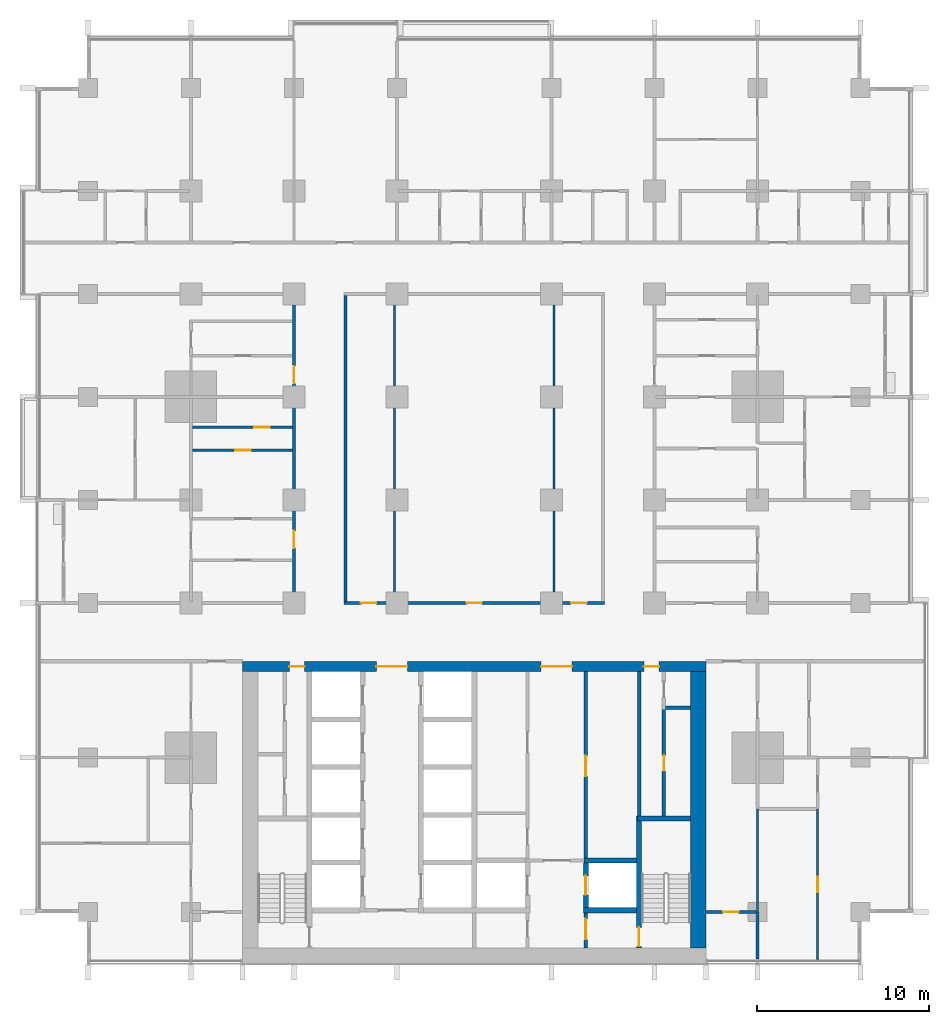
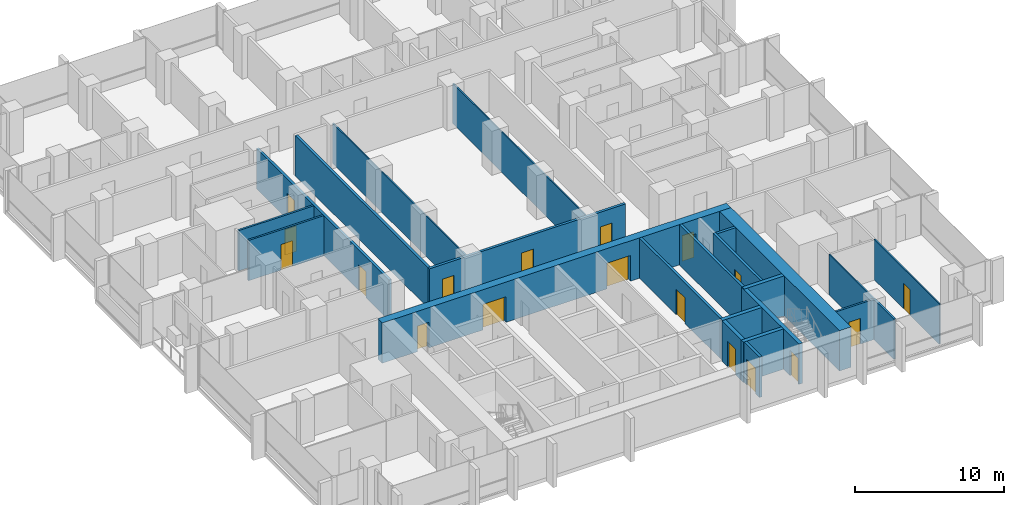
# One storey, part 9 of 18: 23 walls, 18 doors, 18 openings.
"""IFC4 building model written with IfcOpenShell, lengths in metres."""

from ifc_helpers import new_model, si_unit, direction, frame, frame_2d, origin, place, context, subcontext, project, spatial, rectangle, extrude, material, layer, layer_set, type_object, element, fill, save


model = new_model("IFC4")

# Units and contexts
model_context = context("Model", 3, precision=1e-05, world=origin(), true_north=direction((0.0, 1.0)))
body_context = subcontext(model_context, "Body", "Model", "MODEL_VIEW")
ifc_project = project(units=[si_unit("LENGTHUNIT", "METRE"), si_unit("AREAUNIT", "SQUARE_METRE"), si_unit("VOLUMEUNIT", "CUBIC_METRE"), si_unit("PLANEANGLEUNIT", "RADIAN"), si_unit("MASSUNIT", "GRAM", prefix="KILO")], contexts=[model_context])

# Site, building, storey
site_placement = place(None, origin())
site = spatial("IfcSite", under=ifc_project, at=site_placement, CompositionType="ELEMENT")
building_placement = place(site_placement, origin())
building = spatial("IfcBuilding", under=site, at=building_placement, Name="Finial Court Residences", CompositionType="ELEMENT")
storey_placement = place(building_placement, frame((0.0, 0.0, 36.10009765625)))
storey = spatial("IfcBuildingStorey", under=building, at=storey_placement, Name="L07", CompositionType="ELEMENT", Elevation=36.10009765625)

# Wall, openings, doors
ifc_material_1 = material(Name="Concrete C80/95", Category="concrete")
ifc_layer_1 = layer(ifc_material_1, 0.60009765625)
ifc_layer_set_1 = layer_set([ifc_layer_1], Name="Core outer wall 600 Concrete C80/95")
wall_type_1 = type_object("IfcWallType", Name="Core outer wall 600 Concrete C80/95", PredefinedType="SHEAR", material=ifc_layer_set_1)
wall_1_placement = place(storey_placement, frame((-13.5, -8.199951171875, 0.0), z_axis=(0.0, 0.0, 1.0), x_axis=(1.0, 0.0, 0.0)))
wall_1 = element("IfcWall", 1, at=wall_1_placement, inside=storey, type_object=wall_type_1, Name="Core outer wall L07-02", PredefinedType="SHEAR", context=body_context, shape_type="SweptSolid", body=[
    extrude(rectangle(XDim=27.0, YDim=0.60009765625, at=frame_2d((13.5, 0.0))), origin(), (0.0, 0.0, 1.0), 3.2998046875),
])
opening_1_placement = place(wall_1_placement, frame((7.800048828125, 0.0, 0.0)))
opening_1 = element("IfcOpeningElement", 2, at=opening_1_placement, cuts=wall_1, Name="Opening L07-C04", PredefinedType="OPENING", context=body_context, shape_type="SweptSolid", body=[
    extrude(rectangle(XDim=1.800048828125, YDim=2.10009765625, at=frame_2d((0.89990234375, 1.050048828125))), frame((0.0, 0.31005859375, 0.0), z_axis=(0.0, -1.0, 0.0), x_axis=(1.0, 0.0, 0.0)), (0.0, 0.0, 1.0), 0.6201171875),
])
opening_2_placement = place(wall_1_placement, frame((17.39990234375, 0.0, 0.0)))
opening_2 = element("IfcOpeningElement", 3, at=opening_2_placement, cuts=wall_1, Name="Opening L07-C05", PredefinedType="OPENING", context=body_context, shape_type="SweptSolid", body=[
    extrude(rectangle(XDim=1.800048828125, YDim=2.10009765625, at=frame_2d((0.89990234375, 1.050048828125))), frame((0.0, 0.31005859375, 0.0), z_axis=(0.0, -1.0, 0.0), x_axis=(1.0, 0.0, 0.0)), (0.0, 0.0, 1.0), 0.6201171875),
])
opening_3_placement = place(wall_1_placement, frame((2.72509765625, 0.0, 0.0)))
opening_3 = element("IfcOpeningElement", 4, at=opening_3_placement, cuts=wall_1, Name="Opening L07-C10", PredefinedType="OPENING", context=body_context, shape_type="SweptSolid", body=[
    extrude(rectangle(XDim=0.89990234375, YDim=2.10009765625, at=frame_2d((0.449951171875, 1.050048828125))), frame((0.0, 0.31005859375, 0.0), z_axis=(0.0, -1.0, 0.0), x_axis=(1.0, 0.0, 0.0)), (0.0, 0.0, 1.0), 0.6201171875),
])
opening_4_placement = place(wall_1_placement, frame((23.375, 0.0, 0.0)))
opening_4 = element("IfcOpeningElement", 5, at=opening_4_placement, cuts=wall_1, Name="Opening L07-C11", PredefinedType="OPENING", context=body_context, shape_type="SweptSolid", body=[
    extrude(rectangle(XDim=0.89990234375, YDim=2.10009765625, at=frame_2d((0.449951171875, 1.050048828125))), frame((0.0, 0.31005859375, 0.0), z_axis=(0.0, -1.0, 0.0), x_axis=(1.0, 0.0, 0.0)), (0.0, 0.0, 1.0), 0.6201171875),
])
ifc_material_2 = material(Name="Steel fire door", Category="steel")
door_type_1 = type_object("IfcDoorType", Name="Lift lobby door 1800 x 2100 EI 60", OperationType="DOUBLE_DOOR_SINGLE_SWING", PredefinedType="DOOR", material=ifc_material_2)
door_1_placement = place(opening_1_placement, origin())
door_1 = element("IfcDoor", 6, at=door_1_placement, inside=storey, type_object=door_type_1, Name="Lift lobby door L07-C04", OperationType="DOUBLE_DOOR_SINGLE_SWING", OverallHeight=2.10009765625, OverallWidth=1.800048828125, PredefinedType="DOOR", context=body_context, shape_type="SweptSolid", body=[
    extrude(rectangle(XDim=1.800048828125, YDim=2.10009765625, at=frame_2d((0.89990234375, 1.050048828125))), frame((0.0, 0.02490234375, 0.0), z_axis=(0.0, -1.0, 0.0), x_axis=(1.0, 0.0, 0.0)), (0.0, 0.0, 1.0), 0.050048828125),
])
fill(opening_1, door_1)
door_2_placement = place(opening_2_placement, origin())
door_2 = element("IfcDoor", 7, at=door_2_placement, inside=storey, type_object=door_type_1, Name="Lift lobby door L07-C05", OperationType="DOUBLE_DOOR_SINGLE_SWING", OverallHeight=2.10009765625, OverallWidth=1.800048828125, PredefinedType="DOOR", context=body_context, shape_type="SweptSolid", body=[
    extrude(rectangle(XDim=1.800048828125, YDim=2.10009765625, at=frame_2d((0.89990234375, 1.050048828125))), frame((0.0, 0.02490234375, 0.0), z_axis=(0.0, -1.0, 0.0), x_axis=(1.0, 0.0, 0.0)), (0.0, 0.0, 1.0), 0.050048828125),
])
fill(opening_2, door_2)
door_type_2 = type_object("IfcDoorType", Name="Riser room door 900 x 2100 EI 90", OperationType="NOTDEFINED", PredefinedType="DOOR", material=ifc_material_2)
door_3_placement = place(opening_3_placement, origin())
door_3 = element("IfcDoor", 8, at=door_3_placement, inside=storey, type_object=door_type_2, Name="Riser room door L07-C10", OperationType="SINGLE_SWING_RIGHT", OverallHeight=2.10009765625, OverallWidth=0.89990234375, PredefinedType="DOOR", context=body_context, shape_type="SweptSolid", body=[
    extrude(rectangle(XDim=0.89990234375, YDim=2.10009765625, at=frame_2d((0.449951171875, 1.050048828125))), frame((0.0, 0.02490234375, 0.0), z_axis=(0.0, -1.0, 0.0), x_axis=(1.0, 0.0, 0.0)), (0.0, 0.0, 1.0), 0.050048828125),
])
fill(opening_3, door_3)
door_4_placement = place(opening_4_placement, origin())
door_4 = element("IfcDoor", 9, at=door_4_placement, inside=storey, type_object=door_type_2, Name="Riser room door L07-C11", OperationType="SINGLE_SWING_LEFT", OverallHeight=2.10009765625, OverallWidth=0.89990234375, PredefinedType="DOOR", context=body_context, shape_type="SweptSolid", body=[
    extrude(rectangle(XDim=0.89990234375, YDim=2.10009765625, at=frame_2d((0.449951171875, 1.050048828125))), frame((0.0, 0.02490234375, 0.0), z_axis=(0.0, -1.0, 0.0), x_axis=(1.0, 0.0, 0.0)), (0.0, 0.0, 1.0), 0.050048828125),
])
fill(opening_4, door_4)

# Wall
ifc_layer_2 = layer(ifc_material_1, 0.89990234375)
ifc_layer_set_2 = layer_set([ifc_layer_2], Name="Core outer wall 900 Concrete C80/95")
wall_type_2 = type_object("IfcWallType", Name="Core outer wall 900 Concrete C80/95", PredefinedType="SHEAR", material=ifc_layer_set_2)
wall_2_placement = place(storey_placement, frame((13.050048828125, -24.60009765625, 0.0), z_axis=(0.0, 0.0, 1.0), x_axis=(0.0, 1.0, 0.0)))
element("IfcWall", 10, at=wall_2_placement, inside=storey, type_object=wall_type_2, Name="Core outer wall L07-04", PredefinedType="SHEAR", context=body_context, shape_type="SweptSolid", body=[
    extrude(rectangle(XDim=16.10009765625, YDim=0.89990234375, at=frame_2d((8.050048828125, 0.0))), origin(), (0.0, 0.0, 1.0), 3.2998046875),
])

# Wall, openings, doors
ifc_material_3 = material(Name="Gypsum board")
ifc_layer_3 = layer(ifc_material_3, 0.02490234375)
ifc_material_4 = material(Name="Acoustic mineral wool in double frame")
ifc_layer_4 = layer(ifc_material_4, 0.14990234375)
ifc_layer_5 = layer(ifc_material_3, 0.02490234375)
ifc_layer_set_3 = layer_set([ifc_layer_3, ifc_layer_4, ifc_layer_5], Name="Corridor wall 200, 1 hour")
wall_type_3 = type_object("IfcWallType", Name="Corridor wall 200, 1 hour", PredefinedType="PARTITIONING", material=ifc_layer_set_3)
wall_3_placement = place(storey_placement, frame((-7.60009765625, -4.5, 0.0), z_axis=(0.0, 0.0, 1.0), x_axis=(1.0, 0.0, 0.0)))
wall_3 = element("IfcWall", 11, at=wall_3_placement, inside=storey, type_object=wall_type_3, Name="Partition L07-012", PredefinedType="PARTITIONING", context=body_context, shape_type="SweptSolid", body=[
    extrude(rectangle(XDim=15.2001953125, YDim=0.199951171875, at=frame_2d((7.60009765625, 0.0))), origin(), (0.0, 0.0, 1.0), 3.2998046875),
])
opening_5_placement = place(wall_3_placement, frame((1.0, 0.0, 0.0)))
opening_5 = element("IfcOpeningElement", 12, at=opening_5_placement, cuts=wall_3, Name="Opening L07-D007", PredefinedType="OPENING", context=body_context, shape_type="SweptSolid", body=[
    extrude(rectangle(XDim=0.89990234375, YDim=2.10009765625, at=frame_2d((0.449951171875, 1.050048828125))), frame((0.0, 0.10986328125, 0.0), z_axis=(0.0, -1.0, 0.0), x_axis=(1.0, 0.0, 0.0)), (0.0, 0.0, 1.0), 0.219970703125),
])
opening_6_placement = place(wall_3_placement, frame((7.14990234375, 0.0, 0.0)))
opening_6 = element("IfcOpeningElement", 13, at=opening_6_placement, cuts=wall_3, Name="Opening L07-D008", PredefinedType="OPENING", context=body_context, shape_type="SweptSolid", body=[
    extrude(rectangle(XDim=0.89990234375, YDim=2.10009765625, at=frame_2d((0.449951171875, 1.050048828125))), frame((0.0, 0.10986328125, 0.0), z_axis=(0.0, -1.0, 0.0), x_axis=(1.0, 0.0, 0.0)), (0.0, 0.0, 1.0), 0.219970703125),
])
opening_7_placement = place(wall_3_placement, frame((13.25, 0.0, 0.0)))
opening_7 = element("IfcOpeningElement", 14, at=opening_7_placement, cuts=wall_3, Name="Opening L07-D009", PredefinedType="OPENING", context=body_context, shape_type="SweptSolid", body=[
    extrude(rectangle(XDim=0.89990234375, YDim=2.10009765625, at=frame_2d((0.449951171875, 1.050048828125))), frame((0.0, 0.10986328125, 0.0), z_axis=(0.0, -1.0, 0.0), x_axis=(1.0, 0.0, 0.0)), (0.0, 0.0, 1.0), 0.219970703125),
])
ifc_material_5 = material(Name="Timber door leaf in hollow metal frame", Category="wood")
door_type_3 = type_object("IfcDoorType", Name="Fire door set 900 x 2100, 30 minutes", OperationType="SINGLE_SWING_LEFT", PredefinedType="DOOR", material=ifc_material_5)
door_5_placement = place(opening_5_placement, origin())
door_5 = element("IfcDoor", 15, at=door_5_placement, inside=storey, type_object=door_type_3, Name="Door L07-D007", OperationType="SINGLE_SWING_RIGHT", OverallHeight=2.10009765625, OverallWidth=0.89990234375, PredefinedType="DOOR", context=body_context, shape_type="SweptSolid", body=[
    extrude(rectangle(XDim=0.89990234375, YDim=2.10009765625, at=frame_2d((0.449951171875, 1.050048828125))), frame((0.0, 0.02490234375, 0.0), z_axis=(0.0, -1.0, 0.0), x_axis=(1.0, 0.0, 0.0)), (0.0, 0.0, 1.0), 0.050048828125),
])
fill(opening_5, door_5)
door_6_placement = place(opening_6_placement, origin())
door_6 = element("IfcDoor", 16, at=door_6_placement, inside=storey, type_object=door_type_3, Name="Door L07-D008", OperationType="SINGLE_SWING_LEFT", OverallHeight=2.10009765625, OverallWidth=0.89990234375, PredefinedType="DOOR", context=body_context, shape_type="SweptSolid", body=[
    extrude(rectangle(XDim=0.89990234375, YDim=2.10009765625, at=frame_2d((0.449951171875, 1.050048828125))), frame((0.0, 0.02490234375, 0.0), z_axis=(0.0, -1.0, 0.0), x_axis=(1.0, 0.0, 0.0)), (0.0, 0.0, 1.0), 0.050048828125),
])
fill(opening_6, door_6)
door_7_placement = place(opening_7_placement, origin())
door_7 = element("IfcDoor", 17, at=door_7_placement, inside=storey, type_object=door_type_3, Name="Door L07-D009", OperationType="SINGLE_SWING_LEFT", OverallHeight=2.10009765625, OverallWidth=0.89990234375, PredefinedType="DOOR", context=body_context, shape_type="SweptSolid", body=[
    extrude(rectangle(XDim=0.89990234375, YDim=2.10009765625, at=frame_2d((0.449951171875, 1.050048828125))), frame((0.0, 0.02490234375, 0.0), z_axis=(0.0, -1.0, 0.0), x_axis=(1.0, 0.0, 0.0)), (0.0, 0.0, 1.0), 0.050048828125),
])
fill(opening_7, door_7)

wall_4_placement = place(storey_placement, frame((-10.5, -4.39990234375, 0.0), z_axis=(0.0, 0.0, 1.0), x_axis=(0.0, 1.0, 0.0)))
wall_4 = element("IfcWall", 18, at=wall_4_placement, inside=storey, type_object=wall_type_3, Name="Partition L07-061", PredefinedType="PARTITIONING", context=body_context, shape_type="SweptSolid", body=[
    extrude(rectangle(XDim=17.7998046875, YDim=0.199951171875, at=frame_2d((8.89990234375, 0.0))), origin(), (0.0, 0.0, 1.0), 3.2998046875),
])
opening_8_placement = place(wall_4_placement, frame((3.10009765625, 0.0, 0.0)))
opening_8 = element("IfcOpeningElement", 19, at=opening_8_placement, cuts=wall_4, Name="Opening L07-D042", PredefinedType="OPENING", context=body_context, shape_type="SweptSolid", body=[
    extrude(rectangle(XDim=1.0, YDim=2.10009765625, at=frame_2d((0.5, 1.050048828125))), frame((0.0, 0.10986328125, 0.0), z_axis=(0.0, -1.0, 0.0), x_axis=(1.0, 0.0, 0.0)), (0.0, 0.0, 1.0), 0.219970703125),
])
opening_9_placement = place(wall_4_placement, frame((12.699951171875, 0.0, 0.0)))
opening_9 = element("IfcOpeningElement", 20, at=opening_9_placement, cuts=wall_4, Name="Opening L07-D043", PredefinedType="OPENING", context=body_context, shape_type="SweptSolid", body=[
    extrude(rectangle(XDim=1.0, YDim=2.10009765625, at=frame_2d((0.5, 1.050048828125))), frame((0.0, 0.10986328125, 0.0), z_axis=(0.0, -1.0, 0.0), x_axis=(1.0, 0.0, 0.0)), (0.0, 0.0, 1.0), 0.219970703125),
])
door_type_4 = type_object("IfcDoorType", Name="Fire door set 1000 x 2100, 30 minutes", OperationType="SINGLE_SWING_LEFT", PredefinedType="DOOR", material=ifc_material_5)
door_8_placement = place(opening_8_placement, origin())
door_8 = element("IfcDoor", 21, at=door_8_placement, inside=storey, type_object=door_type_4, Name="Door L07-D042", OperationType="SINGLE_SWING_RIGHT", OverallHeight=2.10009765625, OverallWidth=1.0, PredefinedType="DOOR", context=body_context, shape_type="SweptSolid", body=[
    extrude(rectangle(XDim=1.0, YDim=2.10009765625, at=frame_2d((0.5, 1.050048828125))), frame((0.0, 0.02490234375, 0.0), z_axis=(0.0, -1.0, 0.0), x_axis=(1.0, 0.0, 0.0)), (0.0, 0.0, 1.0), 0.050048828125),
])
fill(opening_8, door_8)
door_9_placement = place(opening_9_placement, origin())
door_9 = element("IfcDoor", 22, at=door_9_placement, inside=storey, type_object=door_type_4, Name="Door L07-D043", OperationType="SINGLE_SWING_LEFT", OverallHeight=2.10009765625, OverallWidth=1.0, PredefinedType="DOOR", context=body_context, shape_type="SweptSolid", body=[
    extrude(rectangle(XDim=1.0, YDim=2.10009765625, at=frame_2d((0.5, 1.050048828125))), frame((0.0, 0.02490234375, 0.0), z_axis=(0.0, -1.0, 0.0), x_axis=(1.0, 0.0, 0.0)), (0.0, 0.0, 1.0), 0.050048828125),
])
fill(opening_9, door_9)

# Wall
wall_5_placement = place(storey_placement, frame((-7.5, -4.39990234375, 0.0), z_axis=(0.0, 0.0, 1.0), x_axis=(0.0, 1.0, 0.0)))
element("IfcWall", 23, at=wall_5_placement, inside=storey, type_object=wall_type_3, Name="Partition L07-063", PredefinedType="PARTITIONING", context=body_context, shape_type="SweptSolid", body=[
    extrude(rectangle(XDim=17.7998046875, YDim=0.199951171875, at=frame_2d((8.89990234375, 0.0))), origin(), (0.0, 0.0, 1.0), 3.2998046875),
])

# Wall, opening, door
ifc_material_6 = material(Name="Fire-rated gypsum board partition")
ifc_layer_6 = layer(ifc_material_6, 0.199951171875)
ifc_layer_set_4 = layer_set([ifc_layer_6], Name="Firefighting lobby wall 200 EI 120")
wall_type_4 = type_object("IfcWallType", Name="Firefighting lobby wall 200 EI 120", PredefinedType="PARTITIONING", material=ifc_layer_set_4)
wall_6_placement = place(storey_placement, frame((6.5, -22.550048828125, 0.0), z_axis=(0.0, 0.0, 1.0), x_axis=(0.0, -1.0, 0.0)))
wall_6 = element("IfcWall", 24, at=wall_6_placement, inside=storey, type_object=wall_type_4, Name="Core partition L07-32", PredefinedType="PARTITIONING", context=body_context, shape_type="SweptSolid", body=[
    extrude(rectangle(XDim=2.050048828125, YDim=0.199951171875, at=frame_2d((1.02490234375, 0.0))), origin(), (0.0, 0.0, 1.0), 3.2998046875),
])
opening_10_placement = place(wall_6_placement, frame((0.35009765625, 0.0, 0.0)))
opening_10 = element("IfcOpeningElement", 25, at=opening_10_placement, cuts=wall_6, Name="Opening L07-C01", PredefinedType="OPENING", context=body_context, shape_type="SweptSolid", body=[
    extrude(rectangle(XDim=1.199951171875, YDim=2.10009765625, at=frame_2d((0.60009765625, 1.050048828125))), frame((0.0, 0.10986328125, 0.0), z_axis=(0.0, -1.0, 0.0), x_axis=(1.0, 0.0, 0.0)), (0.0, 0.0, 1.0), 0.219970703125),
])
door_type_5 = type_object("IfcDoorType", Name="Firefighting lobby door 1200 x 2100 EI 90", OperationType="NOTDEFINED", PredefinedType="DOOR", material=ifc_material_2)
door_10_placement = place(opening_10_placement, origin())
door_10 = element("IfcDoor", 26, at=door_10_placement, inside=storey, type_object=door_type_5, Name="Firefighting lobby door L07-C01", OperationType="SINGLE_SWING_RIGHT", OverallHeight=2.10009765625, OverallWidth=1.199951171875, PredefinedType="DOOR", context=body_context, shape_type="SweptSolid", body=[
    extrude(rectangle(XDim=1.199951171875, YDim=2.10009765625, at=frame_2d((0.60009765625, 1.050048828125))), frame((0.0, 0.02490234375, 0.0), z_axis=(0.0, -1.0, 0.0), x_axis=(1.0, 0.0, 0.0)), (0.0, 0.0, 1.0), 0.050048828125),
])
fill(opening_10, door_10)

# Walls
ifc_layer_7 = layer(ifc_material_3, 0.012451171875)
ifc_material_7 = material(Name="Mineral wool in light-gauge frame")
ifc_layer_8 = layer(ifc_material_7, 0.074951171875)
ifc_layer_9 = layer(ifc_material_3, 0.012451171875)
ifc_layer_set_5 = layer_set([ifc_layer_7, ifc_layer_8, ifc_layer_9], Name="Gypsum board partition 100")
wall_type_5 = type_object("IfcWallType", Name="Gypsum board partition 100", PredefinedType="PARTITIONING", material=ifc_layer_set_5)
for number, where, z_axis, x_axis, name in (
    (27, (-4.64990234375, -4.39990234375, 0.0), (0.0, 0.0, 1.0), (0.0, 1.0, 0.0), "Partition L07-064"),
    (28, (4.64990234375, -4.39990234375, 0.0), (0.0, 0.0, 1.0), (0.0, 1.0, 0.0), "Partition L07-071"),
):
    element("IfcWall", number, at=place(storey_placement, frame(where, z_axis=z_axis, x_axis=x_axis)), inside=storey, type_object=wall_type_5, Name=name, PredefinedType="PARTITIONING", context=body_context, shape_type="SweptSolid", body=[
        extrude(rectangle(XDim=17.7998046875, YDim=0.10009765625, at=frame_2d((8.89990234375, 0.0))), origin(), (0.0, 0.0, 1.0), 3.2998046875),
    ])
wall_7_placement = place(storey_placement, frame((16.5, -22.5, 0.0), z_axis=(0.0, 0.0, 1.0), x_axis=(0.0, 1.0, 0.0)))
element("IfcWall", 29, at=wall_7_placement, inside=storey, type_object=wall_type_5, Name="Partition L07-078", PredefinedType="PARTITIONING", context=body_context, shape_type="SweptSolid", body=[
    extrude(rectangle(XDim=6.0, YDim=0.10009765625, at=frame_2d((3.0, 0.0))), origin(), (0.0, 0.0, 1.0), 3.2998046875),
])

# Wall, opening, door
wall_8_placement = place(storey_placement, frame((20.0, -25.25, 0.0), z_axis=(0.0, 0.0, 1.0), x_axis=(0.0, 1.0, 0.0)))
wall_8 = element("IfcWall", 30, at=wall_8_placement, inside=storey, type_object=wall_type_5, Name="Partition L07-094", PredefinedType="PARTITIONING", context=body_context, shape_type="SweptSolid", body=[
    extrude(rectangle(XDim=8.75, YDim=0.10009765625, at=frame_2d((4.375, 0.0))), origin(), (0.0, 0.0, 1.0), 3.2998046875),
])
opening_11_placement = place(wall_8_placement, frame((3.89990234375, 0.0, 0.0)))
opening_11 = element("IfcOpeningElement", 31, at=opening_11_placement, cuts=wall_8, Name="Opening L07-D058", PredefinedType="OPENING", context=body_context, shape_type="SweptSolid", body=[
    extrude(rectangle(XDim=0.89990234375, YDim=2.10009765625, at=frame_2d((0.449951171875, 1.050048828125))), frame((0.0, 0.06005859375, 0.0), z_axis=(0.0, -1.0, 0.0), x_axis=(1.0, 0.0, 0.0)), (0.0, 0.0, 1.0), 0.1201171875),
])
ifc_material_8 = material(Name="Timber door leaf in timber frame", Category="wood")
door_type_6 = type_object("IfcDoorType", Name="Door set 900 x 2100", OperationType="SINGLE_SWING_LEFT", PredefinedType="DOOR", material=ifc_material_8)
door_11_placement = place(opening_11_placement, origin())
door_11 = element("IfcDoor", 32, at=door_11_placement, inside=storey, type_object=door_type_6, Name="Door L07-D058", OperationType="SINGLE_SWING_RIGHT", OverallHeight=2.10009765625, OverallWidth=0.89990234375, PredefinedType="DOOR", context=body_context, shape_type="SweptSolid", body=[
    extrude(rectangle(XDim=0.89990234375, YDim=2.10009765625, at=frame_2d((0.449951171875, 1.050048828125))), frame((0.0, 0.02490234375, 0.0), z_axis=(0.0, -1.0, 0.0), x_axis=(1.0, 0.0, 0.0)), (0.0, 0.0, 1.0), 0.050048828125),
])
fill(opening_11, door_11)

ifc_material_9 = material(Name="Moisture-resistant gypsum board")
ifc_layer_10 = layer(ifc_material_9, 0.012451171875)
ifc_layer_11 = layer(ifc_material_7, 0.125)
ifc_layer_12 = layer(ifc_material_9, 0.012451171875)
ifc_layer_set_6 = layer_set([ifc_layer_10, ifc_layer_11, ifc_layer_12], Name="Gypsum board wet-area partition 150")
wall_type_6 = type_object("IfcWallType", Name="Gypsum board wet-area partition 150", PredefinedType="PARTITIONING", material=ifc_layer_set_6)
wall_9_placement = place(storey_placement, frame((13.5, -22.5, 0.0), z_axis=(0.0, 0.0, 1.0), x_axis=(1.0, 0.0, 0.0)))
wall_9 = element("IfcWall", 33, at=wall_9_placement, inside=storey, type_object=wall_type_6, Name="Partition L07-001", PredefinedType="PARTITIONING", context=body_context, shape_type="SweptSolid", body=[
    extrude(rectangle(XDim=2.925048828125, YDim=0.14990234375, at=frame_2d((1.46240234375, 0.0))), origin(), (0.0, 0.0, 1.0), 3.2998046875),
])
opening_12_placement = place(wall_9_placement, frame((1.0, 0.0, 0.0)))
opening_12 = element("IfcOpeningElement", 34, at=opening_12_placement, cuts=wall_9, Name="Opening L07-D002", PredefinedType="OPENING", context=body_context, shape_type="SweptSolid", body=[
    extrude(rectangle(XDim=0.89990234375, YDim=2.10009765625, at=frame_2d((0.449951171875, 1.050048828125))), frame((0.0, 0.0849609375, 0.0), z_axis=(0.0, -1.0, 0.0), x_axis=(1.0, 0.0, 0.0)), (0.0, 0.0, 1.0), 0.169921875),
])
door_12_placement = place(opening_12_placement, origin())
door_12 = element("IfcDoor", 35, at=door_12_placement, inside=storey, type_object=door_type_6, Name="Door L07-D002", OperationType="SINGLE_SWING_RIGHT", OverallHeight=2.10009765625, OverallWidth=0.89990234375, PredefinedType="DOOR", context=body_context, shape_type="SweptSolid", body=[
    extrude(rectangle(XDim=0.89990234375, YDim=2.10009765625, at=frame_2d((0.449951171875, 1.050048828125))), frame((0.0, 0.02490234375, 0.0), z_axis=(0.0, -1.0, 0.0), x_axis=(1.0, 0.0, 0.0)), (0.0, 0.0, 1.0), 0.050048828125),
])
fill(opening_12, door_12)

wall_10_placement = place(storey_placement, frame((-16.425048828125, 4.39990234375, 0.0), z_axis=(0.0, 0.0, 1.0), x_axis=(1.0, 0.0, 0.0)))
wall_10 = element("IfcWall", 36, at=wall_10_placement, inside=storey, type_object=wall_type_6, Name="Partition L07-020", PredefinedType="PARTITIONING", context=body_context, shape_type="SweptSolid", body=[
    extrude(rectangle(XDim=5.824951171875, YDim=0.14990234375, at=frame_2d((2.91259765625, 0.0))), origin(), (0.0, 0.0, 1.0), 3.2998046875),
])
opening_13_placement = place(wall_10_placement, frame((2.5, 0.0, 0.0)))
opening_13 = element("IfcOpeningElement", 37, at=opening_13_placement, cuts=wall_10, Name="Opening L07-D014", PredefinedType="OPENING", context=body_context, shape_type="SweptSolid", body=[
    extrude(rectangle(XDim=0.89990234375, YDim=2.10009765625, at=frame_2d((0.449951171875, 1.050048828125))), frame((0.0, 0.0849609375, 0.0), z_axis=(0.0, -1.0, 0.0), x_axis=(1.0, 0.0, 0.0)), (0.0, 0.0, 1.0), 0.169921875),
])
door_13_placement = place(opening_13_placement, origin())
door_13 = element("IfcDoor", 38, at=door_13_placement, inside=storey, type_object=door_type_6, Name="Door L07-D014", OperationType="SINGLE_SWING_LEFT", OverallHeight=2.10009765625, OverallWidth=0.89990234375, PredefinedType="DOOR", context=body_context, shape_type="SweptSolid", body=[
    extrude(rectangle(XDim=0.89990234375, YDim=2.10009765625, at=frame_2d((0.449951171875, 1.050048828125))), frame((0.0, 0.02490234375, 0.0), z_axis=(0.0, -1.0, 0.0), x_axis=(1.0, 0.0, 0.0)), (0.0, 0.0, 1.0), 0.050048828125),
])
fill(opening_13, door_13)

wall_11_placement = place(storey_placement, frame((-16.425048828125, 5.73291015625, 0.0), z_axis=(0.0, 0.0, 1.0), x_axis=(1.0, 0.0, 0.0)))
wall_11 = element("IfcWall", 39, at=wall_11_placement, inside=storey, type_object=wall_type_6, Name="Partition L07-023", PredefinedType="PARTITIONING", context=body_context, shape_type="SweptSolid", body=[
    extrude(rectangle(XDim=5.824951171875, YDim=0.14990234375, at=frame_2d((2.91259765625, 0.0))), origin(), (0.0, 0.0, 1.0), 3.2998046875),
])
opening_14_placement = place(wall_11_placement, frame((3.60009765625, 0.0, 0.0)))
opening_14 = element("IfcOpeningElement", 40, at=opening_14_placement, cuts=wall_11, Name="Opening L07-D016", PredefinedType="OPENING", context=body_context, shape_type="SweptSolid", body=[
    extrude(rectangle(XDim=0.89990234375, YDim=2.10009765625, at=frame_2d((0.449951171875, 1.050048828125))), frame((0.0, 0.0849609375, 0.0), z_axis=(0.0, -1.0, 0.0), x_axis=(1.0, 0.0, 0.0)), (0.0, 0.0, 1.0), 0.169921875),
])
door_14_placement = place(opening_14_placement, origin())
door_14 = element("IfcDoor", 41, at=door_14_placement, inside=storey, type_object=door_type_6, Name="Door L07-D016", OperationType="SINGLE_SWING_LEFT", OverallHeight=2.10009765625, OverallWidth=0.89990234375, PredefinedType="DOOR", context=body_context, shape_type="SweptSolid", body=[
    extrude(rectangle(XDim=0.89990234375, YDim=2.10009765625, at=frame_2d((0.449951171875, 1.050048828125))), frame((0.0, 0.02490234375, 0.0), z_axis=(0.0, -1.0, 0.0), x_axis=(1.0, 0.0, 0.0)), (0.0, 0.0, 1.0), 0.050048828125),
])
fill(opening_14, door_14)

# Walls
wall_12_placement = place(storey_placement, frame((16.5, -25.25, 0.0), z_axis=(0.0, 0.0, 1.0), x_axis=(0.0, 1.0, 0.0)))
element("IfcWall", 42, at=wall_12_placement, inside=storey, type_object=wall_type_6, Name="Partition L07-084", PredefinedType="PARTITIONING", context=body_context, shape_type="SweptSolid", body=[
    extrude(rectangle(XDim=2.75, YDim=0.14990234375, at=frame_2d((1.375, 0.0))), origin(), (0.0, 0.0, 1.0), 3.2998046875),
])
ifc_layer_13 = layer(ifc_material_1, 0.300048828125)
ifc_layer_set_7 = layer_set([ifc_layer_13], Name="Lift shaft and stair wall 300 Concrete C80/95")
wall_type_7 = type_object("IfcWallType", Name="Lift shaft and stair wall 300 Concrete C80/95", PredefinedType="SHEAR", material=ifc_layer_set_7)
wall_13_placement = place(storey_placement, frame((6.35009765625, -22.39990234375, 0.0), z_axis=(0.0, 0.0, 1.0), x_axis=(1.0, 0.0, 0.0)))
element("IfcWall", 43, at=wall_13_placement, inside=storey, type_object=wall_type_7, Name="Core wall L07-04", PredefinedType="SHEAR", context=body_context, shape_type="SweptSolid", body=[
    extrude(rectangle(XDim=3.099853515625, YDim=0.300048828125, at=frame_2d((1.5498046875, 0.0))), origin(), (0.0, 0.0, 1.0), 3.2998046875),
])
wall_14_placement = place(storey_placement, frame((6.39990234375, -19.5, 0.0), z_axis=(0.0, 0.0, 1.0), x_axis=(1.0, 0.0, 0.0)))
element("IfcWall", 44, at=wall_14_placement, inside=storey, type_object=wall_type_7, Name="Core wall L07-09", PredefinedType="SHEAR", context=body_context, shape_type="SweptSolid", body=[
    extrude(rectangle(XDim=3.050048828125, YDim=0.300048828125, at=frame_2d((1.52490234375, 0.0))), origin(), (0.0, 0.0, 1.0), 3.2998046875),
])
wall_15_placement = place(storey_placement, frame((9.5, -17.050048828125, 0.0), z_axis=(0.0, 0.0, 1.0), x_axis=(1.0, 0.0, 0.0)))
element("IfcWall", 45, at=wall_15_placement, inside=storey, type_object=wall_type_7, Name="Core wall L07-11", PredefinedType="SHEAR", context=body_context, shape_type="SweptSolid", body=[
    extrude(rectangle(XDim=3.10009765625, YDim=0.300048828125, at=frame_2d((1.550048828125, 0.0))), origin(), (0.0, 0.0, 1.0), 3.2998046875),
])

# Wall, opening, door
wall_16_placement = place(storey_placement, frame((6.5, -22.25, 0.0), z_axis=(0.0, 0.0, 1.0), x_axis=(0.0, 1.0, 0.0)))
wall_16 = element("IfcWall", 46, at=wall_16_placement, inside=storey, type_object=wall_type_7, Name="Core wall L07-33", PredefinedType="SHEAR", context=body_context, shape_type="SweptSolid", body=[
    extrude(rectangle(XDim=2.60009765625, YDim=0.300048828125, at=frame_2d((1.300048828125, 0.0))), origin(), (0.0, 0.0, 1.0), 3.2998046875),
])
opening_15_placement = place(wall_16_placement, frame((0.75, 0.0, 0.0)))
opening_15 = element("IfcOpeningElement", 47, at=opening_15_placement, cuts=wall_16, Name="Opening L07-LD02", PredefinedType="OPENING", context=body_context, shape_type="SweptSolid", body=[
    extrude(rectangle(XDim=1.10009765625, YDim=2.10009765625, at=frame_2d((0.550048828125, 1.050048828125))), frame((0.0, 0.159912109375, 0.0), z_axis=(0.0, -1.0, 0.0), x_axis=(1.0, 0.0, 0.0)), (0.0, 0.0, 1.0), 0.320068359375),
])
ifc_material_10 = material(Name="Stainless steel lift door", Category="steel")
door_type_7 = type_object("IfcDoorType", Name="Lift landing door 1100 x 2100 EI 90", OperationType="DOUBLE_DOOR_SLIDING", PredefinedType="DOOR", material=ifc_material_10)
door_15_placement = place(opening_15_placement, origin())
door_15 = element("IfcDoor", 48, at=door_15_placement, inside=storey, type_object=door_type_7, Name="Lift landing door FF2 L07", OperationType="DOUBLE_DOOR_SLIDING", OverallHeight=2.10009765625, OverallWidth=1.10009765625, PredefinedType="DOOR", context=body_context, shape_type="SweptSolid", body=[
    extrude(rectangle(XDim=1.10009765625, YDim=2.10009765625, at=frame_2d((0.550048828125, 1.050048828125))), frame((0.0, 0.02490234375, 0.0), z_axis=(0.0, -1.0, 0.0), x_axis=(1.0, 0.0, 0.0)), (0.0, 0.0, 1.0), 0.050048828125),
])
fill(opening_15, door_15)

wall_17_placement = place(storey_placement, frame((9.60009765625, -16.89990234375, 0.0), z_axis=(0.0, 0.0, 1.0), x_axis=(0.0, -1.0, 0.0)))
wall_17 = element("IfcWall", 49, at=wall_17_placement, inside=storey, type_object=wall_type_7, Name="Core wall L07-35", PredefinedType="SHEAR", context=body_context, shape_type="SweptSolid", body=[
    extrude(rectangle(XDim=7.7001953125, YDim=0.300048828125, at=frame_2d((3.85009765625, 0.0))), origin(), (0.0, 0.0, 1.0), 3.2998046875),
])
opening_16_placement = place(wall_17_placement, frame((6.5, 0.0, 0.0)))
opening_16 = element("IfcOpeningElement", 50, at=opening_16_placement, cuts=wall_17, Name="Opening L07-C17", PredefinedType="OPENING", context=body_context, shape_type="SweptSolid", body=[
    extrude(rectangle(XDim=1.10009765625, YDim=2.10009765625, at=frame_2d((0.550048828125, 1.050048828125))), frame((0.0, 0.159912109375, 0.0), z_axis=(0.0, -1.0, 0.0), x_axis=(1.0, 0.0, 0.0)), (0.0, 0.0, 1.0), 0.320068359375),
])
door_type_8 = type_object("IfcDoorType", Name="Stair door 1100 x 2100 EI 90", OperationType="NOTDEFINED", PredefinedType="DOOR", material=ifc_material_2)
door_16_placement = place(opening_16_placement, origin())
door_16 = element("IfcDoor", 51, at=door_16_placement, inside=storey, type_object=door_type_8, Name="Stair door L07-C17", OperationType="SINGLE_SWING_RIGHT", OverallHeight=2.10009765625, OverallWidth=1.10009765625, PredefinedType="DOOR", context=body_context, shape_type="SweptSolid", body=[
    extrude(rectangle(XDim=1.10009765625, YDim=2.10009765625, at=frame_2d((0.550048828125, 1.050048828125))), frame((0.0, 0.02490234375, 0.0), z_axis=(0.0, -1.0, 0.0), x_axis=(1.0, 0.0, 0.0)), (0.0, 0.0, 1.0), 0.050048828125),
])
fill(opening_16, door_16)

# Wall
ifc_layer_14 = layer(ifc_material_6, 0.199951171875)
ifc_layer_set_8 = layer_set([ifc_layer_14], Name="Riser room wall 200 EI 120")
wall_type_8 = type_object("IfcWallType", Name="Riser room wall 200 EI 120", PredefinedType="PARTITIONING", material=ifc_layer_set_8)
wall_18_placement = place(storey_placement, frame((11.14990234375, -10.60009765625, 0.0), z_axis=(0.0, 0.0, 1.0), x_axis=(1.0, 0.0, 0.0)))
element("IfcWall", 52, at=wall_18_placement, inside=storey, type_object=wall_type_8, Name="Core partition L07-20", PredefinedType="PARTITIONING", context=body_context, shape_type="SweptSolid", body=[
    extrude(rectangle(XDim=1.4501953125, YDim=0.199951171875, at=frame_2d((0.72509765625, 0.0))), origin(), (0.0, 0.0, 1.0), 3.2998046875),
])

# Wall, opening, door
wall_19_placement = place(storey_placement, frame((6.5, -8.5, 0.0), z_axis=(0.0, 0.0, 1.0), x_axis=(0.0, -1.0, 0.0)))
wall_19 = element("IfcWall", 53, at=wall_19_placement, inside=storey, type_object=wall_type_8, Name="Core partition L07-34", PredefinedType="PARTITIONING", context=body_context, shape_type="SweptSolid", body=[
    extrude(rectangle(XDim=10.85009765625, YDim=0.199951171875, at=frame_2d((5.425048828125, 0.0))), origin(), (0.0, 0.0, 1.0), 3.2998046875),
])
opening_17_placement = place(wall_19_placement, frame((4.89990234375, 0.0, 0.0)))
opening_17 = element("IfcOpeningElement", 54, at=opening_17_placement, cuts=wall_19, Name="Opening L07-C09", PredefinedType="OPENING", context=body_context, shape_type="SweptSolid", body=[
    extrude(rectangle(XDim=1.199951171875, YDim=2.10009765625, at=frame_2d((0.60009765625, 1.050048828125))), frame((0.0, 0.10986328125, 0.0), z_axis=(0.0, -1.0, 0.0), x_axis=(1.0, 0.0, 0.0)), (0.0, 0.0, 1.0), 0.219970703125),
])
door_type_9 = type_object("IfcDoorType", Name="Riser room door 1200 x 2100 EI 90", OperationType="NOTDEFINED", PredefinedType="DOOR", material=ifc_material_2)
door_17_placement = place(opening_17_placement, origin())
door_17 = element("IfcDoor", 55, at=door_17_placement, inside=storey, type_object=door_type_9, Name="Riser room door L07-C09", OperationType="SINGLE_SWING_RIGHT", OverallHeight=2.10009765625, OverallWidth=1.199951171875, PredefinedType="DOOR", context=body_context, shape_type="SweptSolid", body=[
    extrude(rectangle(XDim=1.199951171875, YDim=2.10009765625, at=frame_2d((0.60009765625, 1.050048828125))), frame((0.0, 0.02490234375, 0.0), z_axis=(0.0, -1.0, 0.0), x_axis=(1.0, 0.0, 0.0)), (0.0, 0.0, 1.0), 0.050048828125),
])
fill(opening_17, door_17)

# Wall
wall_20_placement = place(storey_placement, frame((9.60009765625, -16.89990234375, 0.0), z_axis=(0.0, 0.0, 1.0), x_axis=(0.0, 1.0, 0.0)))
element("IfcWall", 56, at=wall_20_placement, inside=storey, type_object=wall_type_8, Name="Core partition L07-36", PredefinedType="PARTITIONING", context=body_context, shape_type="SweptSolid", body=[
    extrude(rectangle(XDim=8.39990234375, YDim=0.199951171875, at=frame_2d((4.199951171875, 0.0))), origin(), (0.0, 0.0, 1.0), 3.2998046875),
])

# Wall, opening, door
ifc_layer_15 = layer(ifc_material_6, 0.199951171875)
ifc_layer_set_9 = layer_set([ifc_layer_15], Name="Stair passage wall 200 EI 180")
wall_type_9 = type_object("IfcWallType", Name="Stair passage wall 200 EI 180", PredefinedType="PARTITIONING", material=ifc_layer_set_9)
wall_21_placement = place(storey_placement, frame((11.050048828125, -10.5, 0.0), z_axis=(0.0, 0.0, 1.0), x_axis=(0.0, -1.0, 0.0)))
wall_21 = element("IfcWall", 57, at=wall_21_placement, inside=storey, type_object=wall_type_9, Name="Core partition L07-37", PredefinedType="PARTITIONING", context=body_context, shape_type="SweptSolid", body=[
    extrude(rectangle(XDim=6.39990234375, YDim=0.199951171875, at=frame_2d((3.199951171875, 0.0))), origin(), (0.0, 0.0, 1.0), 3.2998046875),
])
opening_18_placement = place(wall_21_placement, frame((2.875, 0.0, 0.0)))
opening_18 = element("IfcOpeningElement", 58, at=opening_18_placement, cuts=wall_21, Name="Opening L07-C13", PredefinedType="OPENING", context=body_context, shape_type="SweptSolid", body=[
    extrude(rectangle(XDim=0.89990234375, YDim=2.10009765625, at=frame_2d((0.449951171875, 1.050048828125))), frame((0.0, 0.10986328125, 0.0), z_axis=(0.0, -1.0, 0.0), x_axis=(1.0, 0.0, 0.0)), (0.0, 0.0, 1.0), 0.219970703125),
])
door_type_10 = type_object("IfcDoorType", Name="Core room door 900 x 2100 EI 60", OperationType="NOTDEFINED", PredefinedType="DOOR", material=ifc_material_2)
door_18_placement = place(opening_18_placement, origin())
door_18 = element("IfcDoor", 59, at=door_18_placement, inside=storey, type_object=door_type_10, Name="Core room door L07-C13", OperationType="SINGLE_SWING_LEFT", OverallHeight=2.10009765625, OverallWidth=0.89990234375, PredefinedType="DOOR", context=body_context, shape_type="SweptSolid", body=[
    extrude(rectangle(XDim=0.89990234375, YDim=2.10009765625, at=frame_2d((0.449951171875, 1.050048828125))), frame((0.0, 0.02490234375, 0.0), z_axis=(0.0, -1.0, 0.0), x_axis=(1.0, 0.0, 0.0)), (0.0, 0.0, 1.0), 0.050048828125),
])
fill(opening_18, door_18)

save(model, "model.ifc")
